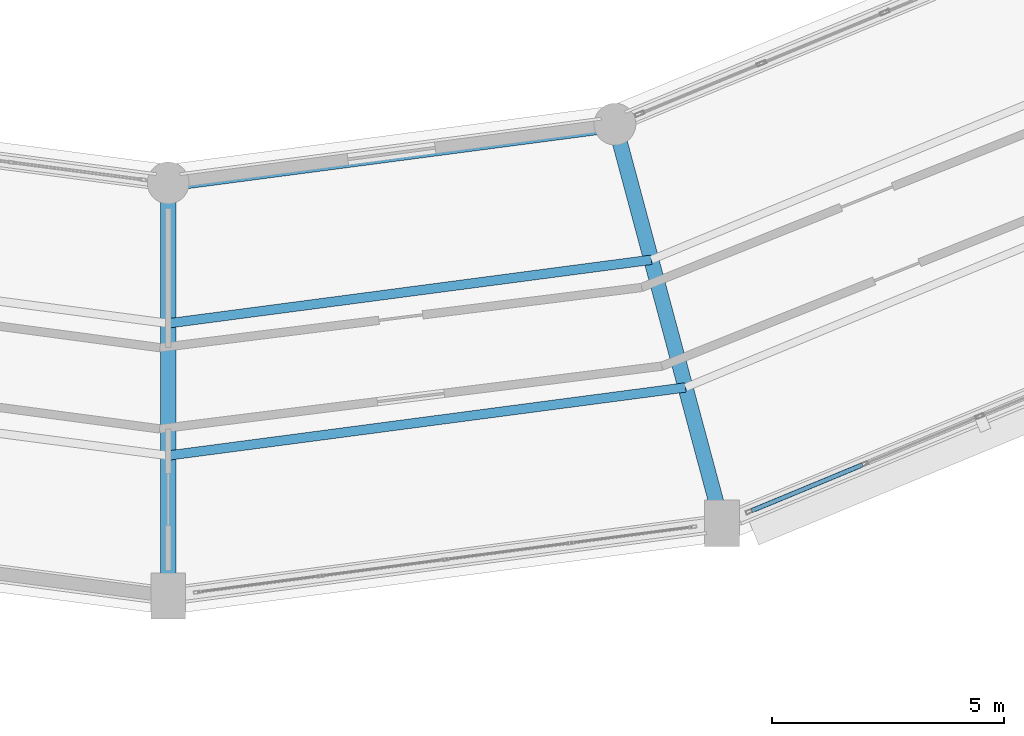
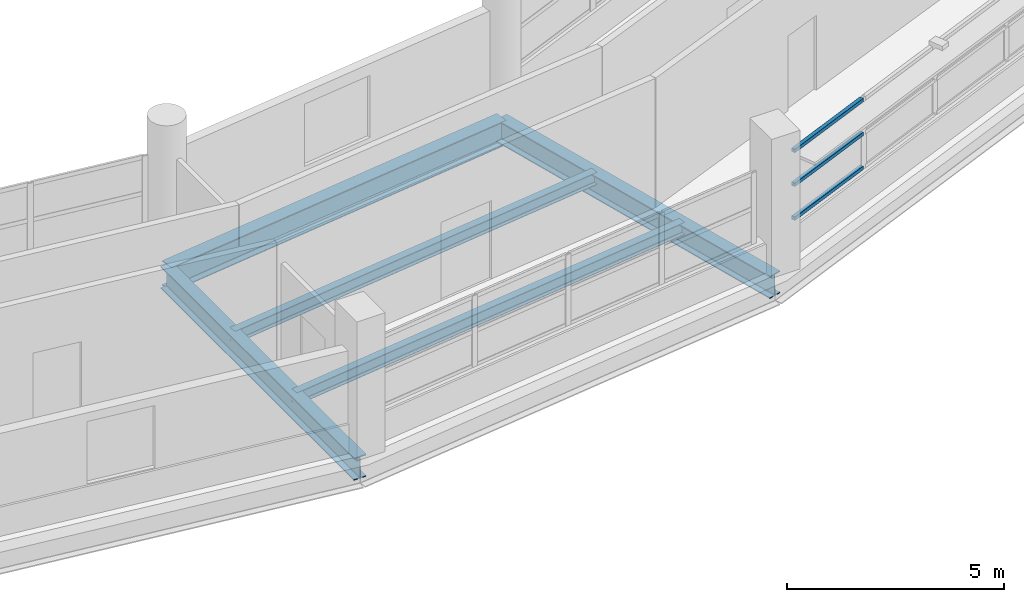
# One storey, part 24 of 88: 5 beams, 3 members, 1 element without a shape of its own.
"""IFC4 building model written with IfcOpenShell, lengths in metres."""

from ifc_helpers import new_model, si_unit, direction, frame, origin, origin_2d, place, context, subcontext, project, spatial, hollow_rectangle, i_section, extrude, material, layer, layer_set, material_profile, profile_set, type_object, element, aggregate, save


model = new_model("IFC4")

# Units and contexts
model_context = context("Model", 3, precision=1e-05, world=origin(), true_north=direction((0.0, 1.0)))
body_context = subcontext(model_context, "Body", "Model", "MODEL_VIEW")
ifc_project = project(units=[si_unit("LENGTHUNIT", "METRE"), si_unit("AREAUNIT", "SQUARE_METRE"), si_unit("VOLUMEUNIT", "CUBIC_METRE"), si_unit("PLANEANGLEUNIT", "RADIAN"), si_unit("MASSUNIT", "GRAM", prefix="KILO")], contexts=[model_context])

# Site, building, storey
site_placement = place(None, origin())
site = spatial("IfcSite", under=ifc_project, at=site_placement, CompositionType="ELEMENT")
building_placement = place(site_placement, origin())
building = spatial("IfcBuilding", under=site, at=building_placement, Name="Vespera Passage Community Centre", CompositionType="ELEMENT")
storey_placement = place(building_placement, frame((0.0, 0.0, 16.5)))
storey = spatial("IfcBuildingStorey", under=building, at=storey_placement, Name="L04", CompositionType="ELEMENT", Elevation=16.5)

# Beams
ifc_material_1 = material(Name="Steel ASTM A992 Grade 50", Category="steel")
ifc_material_profile_1 = material_profile(ifc_material_1, i_section(OverallWidth=0.32763671875, OverallDepth=0.62841796875, WebThickness=0.0166015625, FlangeThickness=0.027587890625, FilletRadius=0.0126953125, at=origin_2d()), Name="W24X146")
ifc_profile_set_1 = profile_set([ifc_material_profile_1], Name="Steel ASTM A992 Grade 50")
beam_type_1 = type_object("IfcBeamType", Name="BM-G-W24X146", PredefinedType="BEAM", material=ifc_profile_set_1)
for number, where, z_axis, x_axis, name in (
    (1, (78.0, 28.300048828125, -0.6142578125), (0.0, -1.0, 0.0), (1.0, 0.0, 0.0), "V4 L04 Radial Girder 18"),
    (2, (87.628173828125, 29.567626953125, -0.6142578125), (0.258811497245, -0.9659278487, 0.0), (0.9659278487, 0.258811497245, 0.0), "V4 L04 Radial Girder 19"),
):
    element("IfcBeam", number, at=place(storey_placement, frame(where, z_axis=z_axis, x_axis=x_axis)), inside=storey, type_object=beam_type_1, Name=name, PredefinedType="BEAM", context=body_context, shape_type="SweptSolid", body=[
        extrude(i_section(OverallWidth=0.32763671875, OverallDepth=0.62841796875, WebThickness=0.0166015625, FlangeThickness=0.027587890625, FilletRadius=0.0126953125, at=origin_2d()), origin(), (0.0, 0.0, 1.0), 8.900146484375),
    ])
ifc_material_2 = material(Name="Steel ASTM A992 Grade 50", Category="steel")
ifc_material_profile_2 = material_profile(ifc_material_2, i_section(OverallWidth=0.2041015625, OverallDepth=0.3505859375, WebThickness=0.008544921875, FlangeThickness=0.01513671875, FilletRadius=0.01513671875, at=origin_2d()), Name="W14X48")
ifc_profile_set_2 = profile_set([ifc_material_profile_2], Name="Steel ASTM A992 Grade 50")
beam_type_2 = type_object("IfcBeamType", Name="BM-J-W14X48", PredefinedType="JOIST", material=ifc_profile_set_2)
beam_1_placement = place(storey_placement, frame((78.0, 25.27392578125, -0.47509765625), z_axis=(0.991442817683, 0.130541714651, 0.0), x_axis=(-0.130541714651, 0.991442817683, 0.0)))
element("IfcBeam", 3, at=beam_1_placement, inside=storey, type_object=beam_type_2, Name="V4 L04 Floor Joist 18.1", PredefinedType="JOIST", context=body_context, shape_type="SweptSolid", body=[
    extrude(i_section(OverallWidth=0.2041015625, OverallDepth=0.3505859375, WebThickness=0.008544921875, FlangeThickness=0.01513671875, FilletRadius=0.01513671875, at=origin_2d()), origin(), (0.0, 0.0, 1.0), 10.501220703125),
])
beam_2_placement = place(storey_placement, frame((78.0, 22.426025390625, -0.47509765625), z_axis=(0.991444242244, 0.130530894892, 0.0), x_axis=(-0.130530894892, 0.991444242244, 0.0)))
element("IfcBeam", 4, at=beam_2_placement, inside=storey, type_object=beam_type_2, Name="V4 L04 Floor Joist 18.2", PredefinedType="JOIST", context=body_context, shape_type="SweptSolid", body=[
    extrude(i_section(OverallWidth=0.2041015625, OverallDepth=0.3505859375, WebThickness=0.008544921875, FlangeThickness=0.01513671875, FilletRadius=0.01513671875, at=origin_2d()), origin(), (0.0, 0.0, 1.0), 11.24462890625),
])
ifc_material_3 = material(Name="Steel ASTM A992 Grade 50", Category="steel")
ifc_material_profile_3 = material_profile(ifc_material_3, i_section(OverallWidth=0.3544921875, OverallDepth=0.695556640625, WebThickness=0.015380859375, FlangeThickness=0.024658203125, FilletRadius=0.01513671875, at=origin_2d()), Name="W27X146")
ifc_profile_set_3 = profile_set([ifc_material_profile_3], Name="Steel ASTM A992 Grade 50")
beam_type_3 = type_object("IfcBeamType", Name="BM-SP-W27X146E", PredefinedType="SPANDREL", material=ifc_profile_set_3)
beam_3_placement = place(storey_placement, frame((78.0, 28.300048828125, -0.647705078125), z_axis=(0.991444794834, 0.130526697639, 0.0), x_axis=(-0.130526697639, 0.991444794834, 0.0)))
element("IfcBeam", 5, at=beam_3_placement, inside=storey, type_object=beam_type_3, Name="V4 L04 Inner Spandrel 18", PredefinedType="SPANDREL", context=body_context, shape_type="SweptSolid", body=[
    extrude(i_section(OverallWidth=0.3544921875, OverallDepth=0.695556640625, WebThickness=0.015380859375, FlangeThickness=0.024658203125, FilletRadius=0.01513671875, at=origin_2d()), origin(), (0.0, 0.0, 1.0), 9.711181640625),
])

# Curtain wall, members
ifc_material_4 = material(Name="Anodized aluminium 6063-T6", Category="aluminium")
ifc_layer = layer(ifc_material_4, 0.159912109375)
ifc_layer_set = layer_set([ifc_layer], Name="Anodized aluminium 6063-T6")
curtain_wall_type = type_object("IfcCurtainWallType", Name="CW-55E", PredefinedType="NOTDEFINED", material=ifc_layer_set)
curtain_wall_placement = place(storey_placement, origin())
curtain_wall = element("IfcCurtainWall", 6, at=curtain_wall_placement, inside=storey, type_object=curtain_wall_type, Name="V4 L04 Outer Ribbon Curtain Wall 19", PredefinedType="NOTDEFINED")
ifc_material_5 = material(Name="Anodized aluminium 6063-T6", Category="aluminium")
ifc_material_profile_4 = material_profile(ifc_material_5, hollow_rectangle(XDim=0.10009765625, YDim=0.10009765625, WallThickness=0.00390625, InnerFilletRadius=0.001953125, OuterFilletRadius=0.00390625, at=origin_2d()), Name="ALU100X100X4")
ifc_profile_set_4 = profile_set([ifc_material_profile_4], Name="Anodized aluminium 6063-T6")
member_type = type_object("IfcMemberType", Name="MB-CWT-100E", PredefinedType="USERDEFINED", material=ifc_profile_set_4)
member_1_placement = place(storey_placement, frame((92.96337890625, 22.2265625, 0.8701171875), z_axis=(-0.923882193286, -0.382677008624, 0.0), x_axis=(0.382677008624, -0.923882193286, 0.0)))
member_1 = element("IfcMember", 7, at=member_1_placement, type_object=member_type, Name="CW-55E transom 4.1", ObjectType="TRANSOM", PredefinedType="USERDEFINED", context=body_context, shape_type="SweptSolid", body=[
    extrude(hollow_rectangle(XDim=0.10009765625, YDim=0.10009765625, WallThickness=0.00390625, InnerFilletRadius=0.001953125, OuterFilletRadius=0.00390625, at=origin_2d()), origin(), (0.0, 0.0, 1.0), 2.585693359375),
])
member_2_placement = place(storey_placement, frame((92.96337890625, 22.2265625, 1.82275390625), z_axis=(-0.923882193286, -0.382677008624, 0.0), x_axis=(0.382677008624, -0.923882193286, 0.0)))
member_2 = element("IfcMember", 8, at=member_2_placement, type_object=member_type, Name="CW-55E transom 4.2", ObjectType="TRANSOM", PredefinedType="USERDEFINED", context=body_context, shape_type="SweptSolid", body=[
    extrude(hollow_rectangle(XDim=0.10009765625, YDim=0.10009765625, WallThickness=0.00390625, InnerFilletRadius=0.001953125, OuterFilletRadius=0.00390625, at=origin_2d()), origin(), (0.0, 0.0, 1.0), 2.585693359375),
])
member_3_placement = place(storey_placement, frame((92.96337890625, 22.2265625, 2.775634765625), z_axis=(-0.923882193286, -0.382677008624, 0.0), x_axis=(0.382677008624, -0.923882193286, 0.0)))
member_3 = element("IfcMember", 9, at=member_3_placement, type_object=member_type, Name="CW-55E transom 4.3", ObjectType="TRANSOM", PredefinedType="USERDEFINED", context=body_context, shape_type="SweptSolid", body=[
    extrude(hollow_rectangle(XDim=0.10009765625, YDim=0.10009765625, WallThickness=0.00390625, InnerFilletRadius=0.001953125, OuterFilletRadius=0.00390625, at=origin_2d()), origin(), (0.0, 0.0, 1.0), 2.585693359375),
])
aggregate(curtain_wall, [member_1, member_2, member_3])

save(model, "model.ifc")
